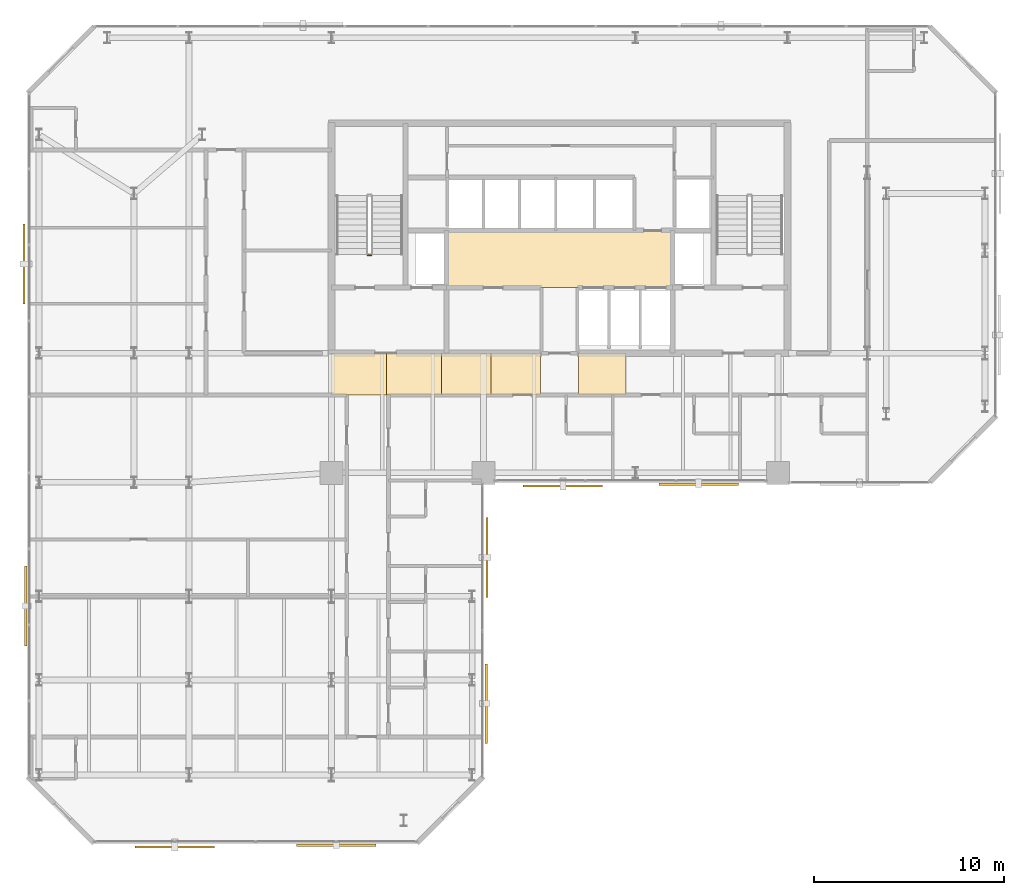
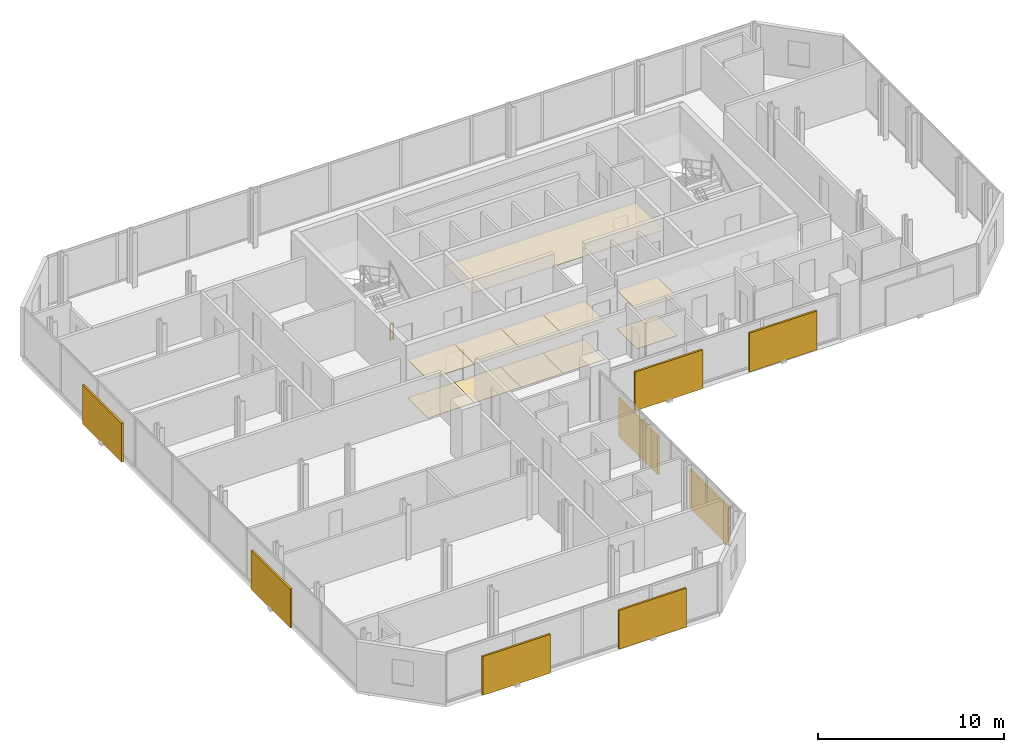
# One storey, part 31 of 32: 11 coverings, 8 shading devices, 1 railing.
"""IFC4 building model written with IfcOpenShell, lengths in metres."""

from ifc_helpers import new_model, si_unit, direction, frame, origin, origin_2d, place, context, subcontext, project, spatial, polyline, rectangle, circle, outline, extrude, material, layer, layer_set, type_object, element, save


model = new_model("IFC4")

# Units and contexts
model_context = context("Model", 3, precision=1e-05, world=origin(), true_north=direction((0.0, 1.0)))
body_context = subcontext(model_context, "Body", "Model", "MODEL_VIEW")
ifc_project = project(units=[si_unit("LENGTHUNIT", "METRE"), si_unit("AREAUNIT", "SQUARE_METRE"), si_unit("VOLUMEUNIT", "CUBIC_METRE"), si_unit("PLANEANGLEUNIT", "RADIAN"), si_unit("MASSUNIT", "GRAM", prefix="KILO")], contexts=[model_context])

# Site, building, storey
site_placement = place(None, origin())
site = spatial("IfcSite", under=ifc_project, at=site_placement, CompositionType="ELEMENT")
building_placement = place(site_placement, origin())
building = spatial("IfcBuilding", under=site, at=building_placement, Name="Catumbela Crestline Tower", CompositionType="ELEMENT")
storey_placement = place(building_placement, frame((0.0, 0.0, 140.4)))
storey = spatial("IfcBuildingStorey", under=building, at=storey_placement, Name="L36", CompositionType="ELEMENT", Elevation=140.4)

# Coverings
ifc_material_1 = material(Name="Mineral-fibre acoustic ceiling")
ifc_layer_1 = layer(ifc_material_1, 0.03, Name="Mineral-fibre acoustic ceiling")
ifc_layer_set_1 = layer_set([ifc_layer_1], Name="Mineral-fibre acoustic ceiling")
covering_type_1 = type_object("IfcCoveringType", Name="CC-AC", PredefinedType="CEILING", material=ifc_layer_set_1)
covering_1_placement = place(storey_placement, frame((0.0, 0.0, 2.65)))
element("IfcCovering", 1, at=covering_1_placement, inside=storey, type_object=covering_type_1, Name="L36 Lift Lobby Acoustic Ceiling", PredefinedType="CEILING", context=body_context, shape_type="SweptSolid", body=[
    extrude(outline(polyline([(22.05, 34.25), (33.95, 34.25), (33.95, 37.25), (22.05, 37.25), (22.05, 34.25)])), origin(), (0.0, 0.0, 1.0), 0.03),
])
covering_2_placement = place(storey_placement, frame((0.0, 0.0, 2.52)))
element("IfcCovering", 2, at=covering_2_placement, inside=storey, type_object=covering_type_1, Name="L36 Corridor Acoustic Ceiling Bay 1", PredefinedType="CEILING", context=body_context, shape_type="SweptSolid", body=[
    extrude(outline(polyline([(16.0, 28.6), (18.9, 28.6), (18.9, 30.8), (16.0, 30.8), (16.0, 28.6)])), origin(), (0.0, 0.0, 1.0), 0.03),
])
covering_3_placement = place(storey_placement, frame((0.0, 0.0, 2.52)))
element("IfcCovering", 3, at=covering_3_placement, inside=storey, type_object=covering_type_1, Name="L36 Corridor Acoustic Ceiling Bay 2", PredefinedType="CEILING", context=body_context, shape_type="SweptSolid", body=[
    extrude(outline(polyline([(18.9, 28.6), (21.8, 28.6), (21.8, 30.8), (18.9, 30.8), (18.9, 28.6)])), origin(), (0.0, 0.0, 1.0), 0.03),
])
covering_4_placement = place(storey_placement, frame((0.0, 0.0, 2.52)))
element("IfcCovering", 4, at=covering_4_placement, inside=storey, type_object=covering_type_1, Name="L36 Corridor Acoustic Ceiling Bay 3", PredefinedType="CEILING", context=body_context, shape_type="SweptSolid", body=[
    extrude(outline(polyline([(21.8, 28.6), (24.4, 28.6), (24.4, 30.8), (21.8, 30.8), (21.8, 28.6)])), origin(), (0.0, 0.0, 1.0), 0.03),
])
covering_5_placement = place(storey_placement, frame((0.0, 0.0, 2.52)))
element("IfcCovering", 5, at=covering_5_placement, inside=storey, type_object=covering_type_1, Name="L36 Corridor Acoustic Ceiling Bay 4", PredefinedType="CEILING", context=body_context, shape_type="SweptSolid", body=[
    extrude(outline(polyline([(24.4, 28.6), (27.0, 28.6), (27.0, 30.8), (24.4, 30.8), (24.4, 28.6)])), origin(), (0.0, 0.0, 1.0), 0.03),
])
covering_6_placement = place(storey_placement, frame((0.0, 0.0, 2.52)))
element("IfcCovering", 6, at=covering_6_placement, inside=storey, type_object=covering_type_1, Name="L36 Corridor Acoustic Ceiling Bay 5", PredefinedType="CEILING", context=body_context, shape_type="SweptSolid", body=[
    extrude(outline(polyline([(29.0, 28.6), (31.5, 28.6), (31.5, 30.8), (29.0, 30.8), (29.0, 28.6)])), origin(), (0.0, 0.0, 1.0), 0.03),
])
ifc_material_2 = material(Name="Angolan grey-ochre granite", Category="masonry")
ifc_layer_2 = layer(ifc_material_2, 0.025, Name="Angolan grey-ochre granite")
ifc_layer_set_2 = layer_set([ifc_layer_2], Name="Angolan grey-ochre granite")
covering_type_2 = type_object("IfcCoveringType", Name="CF-GR", PredefinedType="FLOORING", material=ifc_layer_set_2)
covering_7_placement = place(storey_placement, origin())
element("IfcCovering", 7, at=covering_7_placement, inside=storey, type_object=covering_type_2, Name="L36 Corridor Granite Flooring Bay 1", PredefinedType="FLOORING", context=body_context, shape_type="SweptSolid", body=[
    extrude(outline(polyline([(16.0, 28.6), (18.9, 28.6), (18.9, 30.8), (16.0, 30.8), (16.0, 28.6)])), origin(), (0.0, 0.0, 1.0), 0.025),
])
covering_8_placement = place(storey_placement, origin())
element("IfcCovering", 8, at=covering_8_placement, inside=storey, type_object=covering_type_2, Name="L36 Corridor Granite Flooring Bay 2", PredefinedType="FLOORING", context=body_context, shape_type="SweptSolid", body=[
    extrude(outline(polyline([(18.9, 28.6), (21.8, 28.6), (21.8, 30.8), (18.9, 30.8), (18.9, 28.6)])), origin(), (0.0, 0.0, 1.0), 0.025),
])
covering_9_placement = place(storey_placement, origin())
element("IfcCovering", 9, at=covering_9_placement, inside=storey, type_object=covering_type_2, Name="L36 Corridor Granite Flooring Bay 3", PredefinedType="FLOORING", context=body_context, shape_type="SweptSolid", body=[
    extrude(outline(polyline([(21.8, 28.6), (24.4, 28.6), (24.4, 30.8), (21.8, 30.8), (21.8, 28.6)])), origin(), (0.0, 0.0, 1.0), 0.025),
])
covering_10_placement = place(storey_placement, origin())
element("IfcCovering", 10, at=covering_10_placement, inside=storey, type_object=covering_type_2, Name="L36 Corridor Granite Flooring Bay 4", PredefinedType="FLOORING", context=body_context, shape_type="SweptSolid", body=[
    extrude(outline(polyline([(24.4, 28.6), (27.0, 28.6), (27.0, 30.8), (24.4, 30.8), (24.4, 28.6)])), origin(), (0.0, 0.0, 1.0), 0.025),
])
covering_11_placement = place(storey_placement, origin())
element("IfcCovering", 11, at=covering_11_placement, inside=storey, type_object=covering_type_2, Name="L36 Corridor Granite Flooring Bay 5", PredefinedType="FLOORING", context=body_context, shape_type="SweptSolid", body=[
    extrude(outline(polyline([(29.0, 28.6), (31.5, 28.6), (31.5, 30.8), (29.0, 30.8), (29.0, 28.6)])), origin(), (0.0, 0.0, 1.0), 0.025),
])

# Railing
ifc_material_3 = material(Name="Stainless steel EN 1.4401", Category="steel")
railing_type = type_object("IfcRailingType", Name="RG-1100", PredefinedType="GUARDRAIL", material=ifc_material_3)
railing_placement = place(storey_placement, frame((18.09, 35.95, 0.0)))
element("IfcRailing", 12, at=railing_placement, inside=storey, type_object=railing_type, Name="L36 ST-01 stair guard 4", PredefinedType="GUARDRAIL", context=body_context, shape_type="SweptSolid", body=[
    extrude(circle(Radius=0.024, at=origin_2d()), frame((0.0, 0.0, 1.076), z_axis=(-1.0, 0.0, 0.0), x_axis=(0.0, -1.0, 0.0)), (0.0, 0.0, 1.0), 0.18),
    extrude(circle(Radius=0.0156, at=origin_2d()), frame((0.0, 0.0, 0.55), z_axis=(-1.0, 0.0, 0.0), x_axis=(0.0, -1.0, 0.0)), (0.0, 0.0, 1.0), 0.18),
    extrude(circle(Radius=0.0156, at=origin_2d()), frame((0.0, 0.0, 0.12), z_axis=(-1.0, 0.0, 0.0), x_axis=(0.0, -1.0, 0.0)), (0.0, 0.0, 1.0), 0.18),
    extrude(circle(Radius=0.021, at=origin_2d()), origin(), (0.0, 0.0, 1.0), 1.052),
    extrude(circle(Radius=0.021, at=origin_2d()), frame((-0.18, 0.0, 0.0)), (0.0, 0.0, 1.0), 1.052),
])

# Shading devices
ifc_material_4 = material(Name="Extruded terracotta ceramic", Category="masonry")
shading_device_type_1 = type_object("IfcShadingDeviceType", Name="ST-180", PredefinedType="USERDEFINED", material=ifc_material_4)
for number, where, z_axis, x_axis, name in (
    (13, (16.25, 4.901, -0.1), (0.0, 0.0, 1.0), (1.0, 0.0, 0.0), "L36 Perforated Terracotta Solar Screen 394 (180 mm)"),
    (14, (35.325, 23.901, -0.1), (0.0, 0.0, 1.0), (1.0, 0.0, 0.0), "L36 Perforated Terracotta Solar Screen 398 (180 mm)"),
    (15, (-0.099, 17.5, -0.1), (0.0, 0.0, 1.0), (0.0, -1.0, 0.0), "L36 Perforated Terracotta Solar Screen 405 (180 mm)"),
):
    element("IfcShadingDevice", number, at=place(storey_placement, frame(where, z_axis=z_axis, x_axis=x_axis)), inside=storey, type_object=shading_device_type_1, Name=name, ObjectType="SCREEN", PredefinedType="USERDEFINED", context=body_context, shape_type="SweptSolid", body=[
        extrude(rectangle(XDim=4.2, YDim=0.12, at=origin_2d()), origin(), (0.0, 0.0, 1.0), 2.55),
    ])
shading_device_type_2 = type_object("IfcShadingDeviceType", Name="ST-260", PredefinedType="USERDEFINED", material=ifc_material_4)
shading_device_placement = place(storey_placement, frame((24.143, 12.35, -0.1), z_axis=(0.0, 0.0, 1.0), x_axis=(0.0, 1.0, 0.0)))
element("IfcShadingDevice", 16, at=shading_device_placement, inside=storey, type_object=shading_device_type_2, Name="L36 Perforated Terracotta Solar Screen 395 (260 mm)", ObjectType="SCREEN", PredefinedType="USERDEFINED", context=body_context, shape_type="SweptSolid", body=[
    extrude(rectangle(XDim=4.2, YDim=0.12, at=origin_2d()), origin(), (0.0, 0.0, 1.0), 2.55),
])
shading_device_type_3 = type_object("IfcShadingDeviceType", Name="ST-340", PredefinedType="USERDEFINED", material=ifc_material_4)
for number, where, z_axis, x_axis, name in (
    (17, (7.75, 4.813, -0.1), (0.0, 0.0, 1.0), (1.0, 0.0, 0.0), "L36 Perforated Terracotta Solar Screen 393 (340 mm)"),
    (18, (24.187, 20.05, -0.1), (0.0, 0.0, 1.0), (0.0, 1.0, 0.0), "L36 Perforated Terracotta Solar Screen 396 (340 mm)"),
    (19, (28.175, 23.813, -0.1), (0.0, 0.0, 1.0), (1.0, 0.0, 0.0), "L36 Perforated Terracotta Solar Screen 397 (340 mm)"),
    (20, (-0.187, 35.5, -0.1), (0.0, 0.0, 1.0), (0.0, -1.0, 0.0), "L36 Perforated Terracotta Solar Screen 404 (340 mm)"),
):
    element("IfcShadingDevice", number, at=place(storey_placement, frame(where, z_axis=z_axis, x_axis=x_axis)), inside=storey, type_object=shading_device_type_3, Name=name, ObjectType="SCREEN", PredefinedType="USERDEFINED", context=body_context, shape_type="SweptSolid", body=[
        extrude(rectangle(XDim=4.2, YDim=0.12, at=origin_2d()), origin(), (0.0, 0.0, 1.0), 2.55),
    ])

save(model, "model.ifc")
